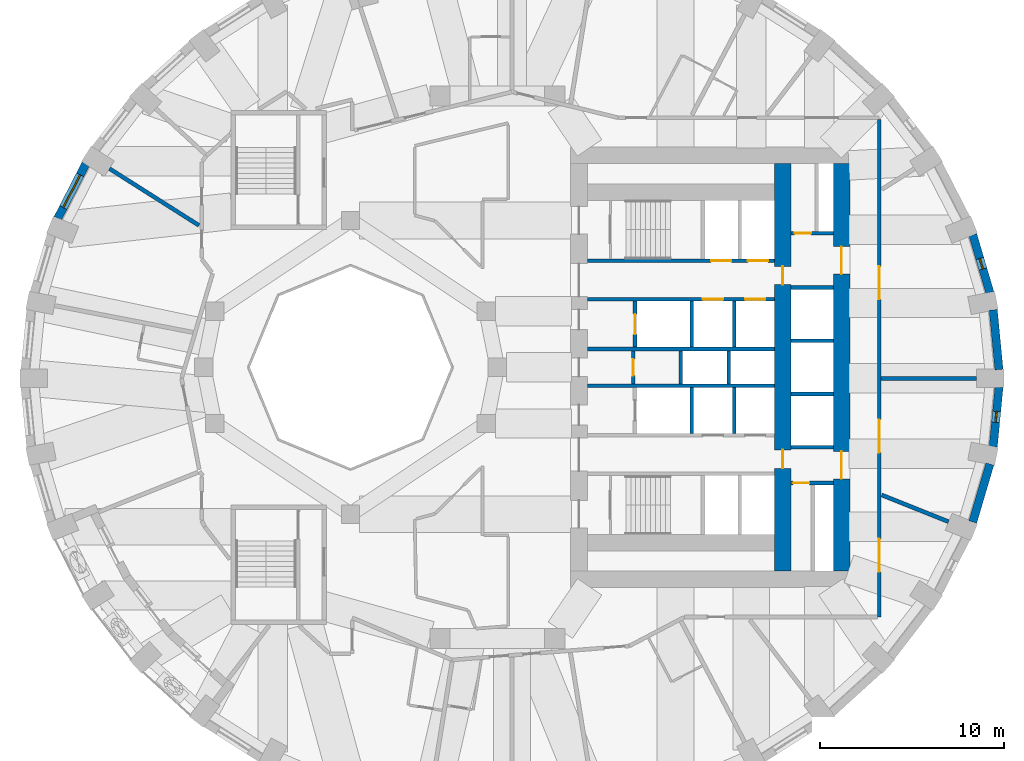
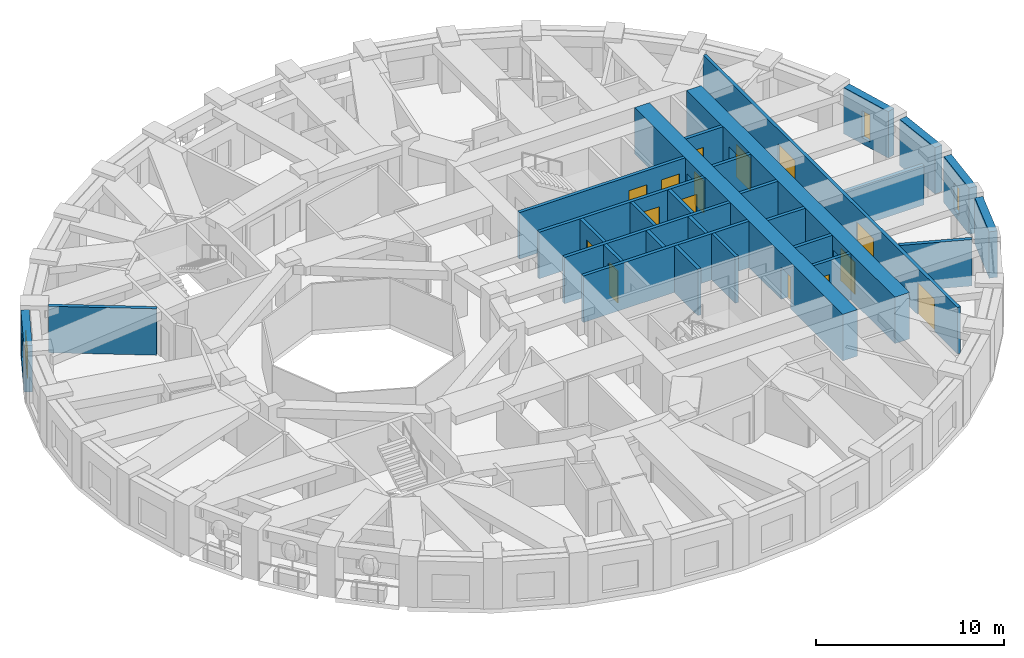
# One storey, part 6 of 12: 29 walls, 15 doors, 3 windows, 18 openings.
"""IFC4 building model written with IfcOpenShell, lengths in metres."""

from ifc_helpers import new_model, si_unit, direction, frame, frame_2d, origin, place, context, subcontext, project, spatial, rectangle, extrude, material, layer, layer_set, type_object, element, fill, save


model = new_model("IFC4")

# Units and contexts
model_context = context("Model", 3, precision=1e-05, world=origin(), true_north=direction((0.0, 1.0)))
body_context = subcontext(model_context, "Body", "Model", "MODEL_VIEW")
ifc_project = project(units=[si_unit("LENGTHUNIT", "METRE"), si_unit("AREAUNIT", "SQUARE_METRE"), si_unit("VOLUMEUNIT", "CUBIC_METRE"), si_unit("PLANEANGLEUNIT", "RADIAN"), si_unit("MASSUNIT", "GRAM", prefix="KILO")], contexts=[model_context])

# Site, building, storey
site_placement = place(None, origin())
site = spatial("IfcSite", under=ifc_project, at=site_placement, CompositionType="ELEMENT")
building_placement = place(site_placement, origin())
building = spatial("IfcBuilding", under=site, at=building_placement, Name="Taillehof Tower", CompositionType="ELEMENT")
storey_placement = place(building_placement, frame((0.0, 0.0, 92.199951171875)))
storey = spatial("IfcBuildingStorey", under=building, at=storey_placement, Name="L25", CompositionType="ELEMENT", Elevation=92.199951171875)

# Wall
ifc_material_1 = material(Name="Brick masonry", Category="masonry")
ifc_layer_1 = layer(ifc_material_1, 0.449951171875)
ifc_layer_set_1 = layer_set([ifc_layer_1], Name="Brick infill wall 450")
wall_type_1 = type_object("IfcWallType", Name="Brick infill wall 450", PredefinedType="SOLIDWALL", material=ifc_layer_set_1)
wall_1_placement = place(storey_placement, frame((27.32763671875, -0.119873046875, 0.0), z_axis=(0.0, 0.0, 1.0), x_axis=(-0.09589355735, 0.995391594127, 0.0)))
element("IfcWall", 1, at=wall_1_placement, inside=storey, type_object=wall_type_1, Name="Brick wall L25 bay 1", PredefinedType="SOLIDWALL", context=body_context, shape_type="SweptSolid", body=[
    extrude(rectangle(XDim=3.261474609375, YDim=0.449951171875, at=frame_2d((1.630859375, 0.0))), origin(), (0.0, 0.0, 1.0), 3.02001953125),
])

# Wall, opening, window
wall_2_placement = place(storey_placement, frame((26.83203125, 4.069091796875, 0.0), z_axis=(0.0, 0.0, 1.0), x_axis=(-0.283002902729, 0.959119052593, 0.0)))
wall_2 = element("IfcWall", 2, at=wall_2_placement, inside=storey, type_object=wall_type_1, Name="Brick wall L25 bay 2", PredefinedType="SOLIDWALL", context=body_context, shape_type="SweptSolid", body=[
    extrude(rectangle(XDim=3.285888671875, YDim=0.449951171875, at=frame_2d((1.64306640625, 0.0))), origin(), (0.0, 0.0, 1.0), 3.02001953125),
])
opening_1_placement = place(wall_2_placement, frame((1.343017578125, 0.0, 0.39990234375)))
opening_1 = element("IfcOpeningElement", 3, at=opening_1_placement, cuts=wall_2, Name="Opening W6", PredefinedType="OPENING", context=body_context, shape_type="SweptSolid", body=[
    extrude(rectangle(XDim=0.60009765625, YDim=1.75, at=frame_2d((0.300048828125, 0.875))), frame((0.0, 0.23486328125, 0.0), z_axis=(0.0, -1.0, 0.0), x_axis=(1.0, 0.0, 0.0)), (0.0, 0.0, 1.0), 0.469970703125),
])
ifc_material_2 = material(Name="Aluminium window frame with clear double glazing", Category="aluminium")
window_type_1 = type_object("IfcWindowType", Name="Slot window 600x1750", PartitioningType="SINGLE_PANEL", PredefinedType="WINDOW", material=ifc_material_2)
window_1_placement = place(opening_1_placement, origin())
window_1 = element("IfcWindow", 4, at=window_1_placement, inside=storey, type_object=window_type_1, Name="W6", OverallHeight=1.75, OverallWidth=0.60009765625, PartitioningType="SINGLE_PANEL", PredefinedType="WINDOW", context=body_context, shape_type="SweptSolid", body=[
    extrude(rectangle(XDim=0.60009765625, YDim=1.75, at=frame_2d((0.300048828125, 0.875))), frame((0.0, 0.034912109375, 0.0), z_axis=(0.0, -1.0, 0.0), x_axis=(1.0, 0.0, 0.0)), (0.0, 0.0, 1.0), 0.06005859375),
])
fill(opening_1, window_1)

wall_3_placement = place(storey_placement, frame((-22.4228515625, 11.076904296875, 0.0), z_axis=(0.0, 0.0, 1.0), x_axis=(-0.456828186229, -0.889554949549, 0.0)))
wall_3 = element("IfcWall", 5, at=wall_3_placement, inside=storey, type_object=wall_type_1, Name="Brick wall L25 bay 16", PredefinedType="SOLIDWALL", context=body_context, shape_type="SweptSolid", body=[
    extrude(rectangle(XDim=3.332763671875, YDim=0.449951171875, at=frame_2d((1.66650390625, 0.0))), origin(), (0.0, 0.0, 1.0), 3.02001953125),
])
opening_2_placement = place(wall_3_placement, frame((0.666259765625, 0.0, 0.39990234375)))
opening_2 = element("IfcOpeningElement", 6, at=opening_2_placement, cuts=wall_3, Name="Opening W2", PredefinedType="OPENING", context=body_context, shape_type="SweptSolid", body=[
    extrude(rectangle(XDim=2.0, YDim=1.75, at=frame_2d((1.0, 0.875))), frame((0.0, 0.23486328125, 0.0), z_axis=(0.0, -1.0, 0.0), x_axis=(1.0, 0.0, 0.0)), (0.0, 0.0, 1.0), 0.469970703125),
])
ifc_material_3 = material(Name="Aluminium window frame with clear double glazing", Category="aluminium")
window_type_2 = type_object("IfcWindowType", Name="Deep-set window 2000x1750", PartitioningType="SINGLE_PANEL", PredefinedType="WINDOW", material=ifc_material_3)
window_2_placement = place(opening_2_placement, origin())
window_2 = element("IfcWindow", 7, at=window_2_placement, inside=storey, type_object=window_type_2, Name="W2", OverallHeight=1.75, OverallWidth=2.0, PartitioningType="SINGLE_PANEL", PredefinedType="WINDOW", context=body_context, shape_type="SweptSolid", body=[
    extrude(rectangle(XDim=2.0, YDim=1.75, at=frame_2d((1.0, 0.875))), frame((0.0, 0.034912109375, 0.0), z_axis=(0.0, -1.0, 0.0), x_axis=(1.0, 0.0, 0.0)), (0.0, 0.0, 1.0), 0.06005859375),
])
fill(opening_2, window_2)

# Wall
wall_4_placement = place(storey_placement, frame((25.902099609375, -8.4208984375, 0.0), z_axis=(0.0, 0.0, 1.0), x_axis=(0.282982737009, 0.95912500257, 0.0)))
element("IfcWall", 8, at=wall_4_placement, inside=storey, type_object=wall_type_1, Name="Brick wall L25 bay 35", PredefinedType="SOLIDWALL", context=body_context, shape_type="SweptSolid", body=[
    extrude(rectangle(XDim=3.2861328125, YDim=0.449951171875, at=frame_2d((1.64306640625, 0.0))), origin(), (0.0, 0.0, 1.0), 3.02001953125),
])

# Wall, opening, window
wall_5_placement = place(storey_placement, frame((27.014892578125, -4.326416015625, 0.0), z_axis=(0.0, 0.0, 1.0), x_axis=(0.09589355735, 0.995391594127, 0.0)))
wall_5 = element("IfcWall", 9, at=wall_5_placement, inside=storey, type_object=wall_type_1, Name="Brick wall L25 bay 36", PredefinedType="SOLIDWALL", context=body_context, shape_type="SweptSolid", body=[
    extrude(rectangle(XDim=3.261474609375, YDim=0.449951171875, at=frame_2d((1.630859375, 0.0))), origin(), (0.0, 0.0, 1.0), 3.02001953125),
])
opening_3_placement = place(wall_5_placement, frame((1.33056640625, 0.0, 0.39990234375)))
opening_3 = element("IfcOpeningElement", 10, at=opening_3_placement, cuts=wall_5, Name="Opening W6", PredefinedType="OPENING", context=body_context, shape_type="SweptSolid", body=[
    extrude(rectangle(XDim=0.60009765625, YDim=1.75, at=frame_2d((0.300048828125, 0.875))), frame((0.0, 0.23486328125, 0.0), z_axis=(0.0, -1.0, 0.0), x_axis=(1.0, 0.0, 0.0)), (0.0, 0.0, 1.0), 0.469970703125),
])
window_3_placement = place(opening_3_placement, origin())
window_3 = element("IfcWindow", 11, at=window_3_placement, inside=storey, type_object=window_type_1, Name="W6", OverallHeight=1.75, OverallWidth=0.60009765625, PartitioningType="SINGLE_PANEL", PredefinedType="WINDOW", context=body_context, shape_type="SweptSolid", body=[
    extrude(rectangle(XDim=0.60009765625, YDim=1.75, at=frame_2d((0.300048828125, 0.875))), frame((0.0, 0.034912109375, 0.0), z_axis=(0.0, -1.0, 0.0), x_axis=(1.0, 0.0, 0.0)), (0.0, 0.0, 1.0), 0.06005859375),
])
fill(opening_3, window_3)

# Wall, opening, door
ifc_material_4 = material(Name="Calcium silicate masonry", Category="masonry")
ifc_layer_2 = layer(ifc_material_4, 0.199951171875)
ifc_layer_set_2 = layer_set([ifc_layer_2], Name="Compartment wall calcium silicate 200")
wall_type_2 = type_object("IfcWallType", Name="Compartment wall calcium silicate 200", PredefinedType="PARTITIONING", material=ifc_layer_set_2)
wall_6_placement = place(storey_placement, frame((7.39990234375, -0.89990234375, 0.0), z_axis=(0.0, 0.0, 1.0), x_axis=(0.0, 1.0, 0.0)))
wall_6 = element("IfcWall", 12, at=wall_6_placement, inside=storey, type_object=wall_type_2, Name="Compartment wall FW", PredefinedType="PARTITIONING", context=body_context, shape_type="SweptSolid", body=[
    extrude(rectangle(XDim=1.7998046875, YDim=0.199951171875, at=frame_2d((0.89990234375, 0.0))), origin(), (0.0, 0.0, 1.0), 3.02001953125),
])
opening_4_placement = place(wall_6_placement, frame((0.449951171875, 0.0, 0.0)))
opening_4 = element("IfcOpeningElement", 13, at=opening_4_placement, cuts=wall_6, Name="Opening D2514", PredefinedType="OPENING", context=body_context, shape_type="SweptSolid", body=[
    extrude(rectangle(XDim=0.89990234375, YDim=2.10009765625, at=frame_2d((0.449951171875, 1.050048828125))), frame((0.0, 0.10986328125, 0.0), z_axis=(0.0, -1.0, 0.0), x_axis=(1.0, 0.0, 0.0)), (0.0, 0.0, 1.0), 0.219970703125),
])
ifc_material_5 = material(Name="Steel-faced fire door", Category="steel")
door_type_1 = type_object("IfcDoorType", Name="Riser and service room door 900x2100", OperationType="SINGLE_SWING_LEFT", PredefinedType="DOOR", material=ifc_material_5)
door_1_placement = place(opening_4_placement, origin())
door_1 = element("IfcDoor", 14, at=door_1_placement, inside=storey, type_object=door_type_1, Name="Door Staff Pantry", OperationType="SINGLE_SWING_RIGHT", OverallHeight=2.10009765625, OverallWidth=0.89990234375, PredefinedType="DOOR", context=body_context, shape_type="SweptSolid", body=[
    extrude(rectangle(XDim=0.89990234375, YDim=2.10009765625, at=frame_2d((0.449951171875, 1.050048828125))), frame((0.0, 0.02490234375, 0.0), z_axis=(0.0, -1.0, 0.0), x_axis=(1.0, 0.0, 0.0)), (0.0, 0.0, 1.0), 0.050048828125),
])
fill(opening_4, door_1)

# Walls
for number, where, z_axis, x_axis, name in (
    (15, (10.0, -0.89990234375, 0.0), (0.0, 0.0, 1.0), (0.0, 1.0, 0.0), "Compartment wall FW"),
    (16, (12.60009765625, -0.89990234375, 0.0), (0.0, 0.0, 1.0), (0.0, 1.0, 0.0), "Compartment wall FW"),
):
    element("IfcWall", number, at=place(storey_placement, frame(where, z_axis=z_axis, x_axis=x_axis)), inside=storey, type_object=wall_type_2, Name=name, PredefinedType="PARTITIONING", context=body_context, shape_type="SweptSolid", body=[
        extrude(rectangle(XDim=1.7998046875, YDim=0.199951171875, at=frame_2d((0.89990234375, 0.0))), origin(), (0.0, 0.0, 1.0), 3.02001953125),
    ])

# Wall, opening, door
wall_7_placement = place(storey_placement, frame((16.0, 7.300048828125, 0.0), z_axis=(0.0, 0.0, 1.0), x_axis=(1.0, 0.0, 0.0)))
wall_7 = element("IfcWall", 17, at=wall_7_placement, inside=storey, type_object=wall_type_2, Name="Compartment wall FW", PredefinedType="PARTITIONING", context=body_context, shape_type="SweptSolid", body=[
    extrude(rectangle(XDim=2.300048828125, YDim=0.199951171875, at=frame_2d((1.14990234375, 0.0))), origin(), (0.0, 0.0, 1.0), 3.02001953125),
])
opening_5_placement = place(wall_7_placement, frame((0.199951171875, 0.0, 0.0)))
opening_5 = element("IfcOpeningElement", 18, at=opening_5_placement, cuts=wall_7, Name="Opening D2516", PredefinedType="OPENING", context=body_context, shape_type="SweptSolid", body=[
    extrude(rectangle(XDim=0.89990234375, YDim=2.10009765625, at=frame_2d((0.449951171875, 1.050048828125))), frame((0.0, 0.10986328125, 0.0), z_axis=(0.0, -1.0, 0.0), x_axis=(1.0, 0.0, 0.0)), (0.0, 0.0, 1.0), 0.219970703125),
])
door_2_placement = place(opening_5_placement, origin())
door_2 = element("IfcDoor", 19, at=door_2_placement, inside=storey, type_object=door_type_1, Name="Door Battery Room", OperationType="SINGLE_SWING_RIGHT", OverallHeight=2.10009765625, OverallWidth=0.89990234375, PredefinedType="DOOR", context=body_context, shape_type="SweptSolid", body=[
    extrude(rectangle(XDim=0.89990234375, YDim=2.10009765625, at=frame_2d((0.449951171875, 1.050048828125))), frame((0.0, 0.02490234375, 0.0), z_axis=(0.0, -1.0, 0.0), x_axis=(1.0, 0.0, 0.0)), (0.0, 0.0, 1.0), 0.050048828125),
])
fill(opening_5, door_2)

wall_8_placement = place(storey_placement, frame((16.0, -6.300048828125, 0.0), z_axis=(0.0, 0.0, 1.0), x_axis=(1.0, 0.0, 0.0)))
wall_8 = element("IfcWall", 20, at=wall_8_placement, inside=storey, type_object=wall_type_2, Name="Compartment wall FW", PredefinedType="PARTITIONING", context=body_context, shape_type="SweptSolid", body=[
    extrude(rectangle(XDim=2.300048828125, YDim=0.199951171875, at=frame_2d((1.14990234375, 0.0))), origin(), (0.0, 0.0, 1.0), 3.02001953125),
])
opening_6_placement = place(wall_8_placement, frame((0.10009765625, 0.0, 0.0)))
opening_6 = element("IfcOpeningElement", 21, at=opening_6_placement, cuts=wall_8, Name="Opening D2518", PredefinedType="OPENING", context=body_context, shape_type="SweptSolid", body=[
    extrude(rectangle(XDim=0.89990234375, YDim=2.10009765625, at=frame_2d((0.449951171875, 1.050048828125))), frame((0.0, 0.10986328125, 0.0), z_axis=(0.0, -1.0, 0.0), x_axis=(1.0, 0.0, 0.0)), (0.0, 0.0, 1.0), 0.219970703125),
])
door_3_placement = place(opening_6_placement, origin())
door_3 = element("IfcDoor", 22, at=door_3_placement, inside=storey, type_object=door_type_1, Name="Door Linen Store", OperationType="SINGLE_SWING_LEFT", OverallHeight=2.10009765625, OverallWidth=0.89990234375, PredefinedType="DOOR", context=body_context, shape_type="SweptSolid", body=[
    extrude(rectangle(XDim=0.89990234375, YDim=2.10009765625, at=frame_2d((0.449951171875, 1.050048828125))), frame((0.0, 0.02490234375, 0.0), z_axis=(0.0, -1.0, 0.0), x_axis=(1.0, 0.0, 0.0)), (0.0, 0.0, 1.0), 0.050048828125),
])
fill(opening_6, door_3)

# Wall, openings, doors
ifc_material_6 = material(Name="Gypsum board on steel studs, two layers each side", Category="steel")
ifc_layer_3 = layer(ifc_material_6, 0.199951171875)
ifc_layer_set_3 = layer_set([ifc_layer_3], Name="Compartment wall corridor 200")
wall_type_3 = type_object("IfcWallType", Name="Compartment wall corridor 200", PredefinedType="PARTITIONING", material=ifc_layer_set_3)
wall_9_placement = place(storey_placement, frame((20.800048828125, 13.5, 0.0), z_axis=(0.0, 0.0, 1.0), x_axis=(0.0, -1.0, 0.0)))
wall_9 = element("IfcWall", 23, at=wall_9_placement, inside=storey, type_object=wall_type_3, Name="Compartment wall", PredefinedType="PARTITIONING", context=body_context, shape_type="SweptSolid", body=[
    extrude(rectangle(XDim=27.10009765625, YDim=0.199951171875, at=frame_2d((13.550048828125, 0.0))), origin(), (0.0, 0.0, 1.0), 3.02001953125),
])
opening_7_placement = place(wall_9_placement, frame((22.84375, 0.0, 0.0)))
opening_7 = element("IfcOpeningElement", 24, at=opening_7_placement, cuts=wall_9, Name="Opening D2561", PredefinedType="OPENING", context=body_context, shape_type="SweptSolid", body=[
    extrude(rectangle(XDim=1.800048828125, YDim=2.10009765625, at=frame_2d((0.89990234375, 1.050048828125))), frame((0.0, 0.10986328125, 0.0), z_axis=(0.0, -1.0, 0.0), x_axis=(1.0, 0.0, 0.0)), (0.0, 0.0, 1.0), 0.219970703125),
])
opening_8_placement = place(wall_9_placement, frame((16.349609375, 0.0, 0.0)))
opening_8 = element("IfcOpeningElement", 25, at=opening_8_placement, cuts=wall_9, Name="Opening D2562", PredefinedType="OPENING", context=body_context, shape_type="SweptSolid", body=[
    extrude(rectangle(XDim=1.800048828125, YDim=2.10009765625, at=frame_2d((0.89990234375, 1.050048828125))), frame((0.0, 0.10986328125, 0.0), z_axis=(0.0, -1.0, 0.0), x_axis=(1.0, 0.0, 0.0)), (0.0, 0.0, 1.0), 0.219970703125),
])
opening_9_placement = place(wall_9_placement, frame((7.99609375, 0.0, 0.0)))
opening_9 = element("IfcOpeningElement", 26, at=opening_9_placement, cuts=wall_9, Name="Opening D2563", PredefinedType="OPENING", context=body_context, shape_type="SweptSolid", body=[
    extrude(rectangle(XDim=1.800048828125, YDim=2.10009765625, at=frame_2d((0.89990234375, 1.050048828125))), frame((0.0, 0.10986328125, 0.0), z_axis=(0.0, -1.0, 0.0), x_axis=(1.0, 0.0, 0.0)), (0.0, 0.0, 1.0), 0.219970703125),
])
ifc_material_7 = material(Name="Timber door leaf in steel frame", Category="steel")
door_type_2 = type_object("IfcDoorType", Name="Lounge and meeting room double door EI 30 1800 x 2100", OperationType="SINGLE_SWING_LEFT", PredefinedType="DOOR", material=ifc_material_7)
door_4_placement = place(opening_7_placement, origin())
door_4 = element("IfcDoor", 27, at=door_4_placement, inside=storey, type_object=door_type_2, Name="D2561", OperationType="DOUBLE_DOOR_SINGLE_SWING", OverallHeight=2.10009765625, OverallWidth=1.800048828125, PredefinedType="DOOR", context=body_context, shape_type="SweptSolid", body=[
    extrude(rectangle(XDim=1.800048828125, YDim=2.10009765625, at=frame_2d((0.89990234375, 1.050048828125))), frame((0.0, 0.02490234375, 0.0), z_axis=(0.0, -1.0, 0.0), x_axis=(1.0, 0.0, 0.0)), (0.0, 0.0, 1.0), 0.050048828125),
])
fill(opening_7, door_4)
door_5_placement = place(opening_8_placement, origin())
door_5 = element("IfcDoor", 28, at=door_5_placement, inside=storey, type_object=door_type_2, Name="D2562", OperationType="DOUBLE_DOOR_SINGLE_SWING", OverallHeight=2.10009765625, OverallWidth=1.800048828125, PredefinedType="DOOR", context=body_context, shape_type="SweptSolid", body=[
    extrude(rectangle(XDim=1.800048828125, YDim=2.10009765625, at=frame_2d((0.89990234375, 1.050048828125))), frame((0.0, 0.02490234375, 0.0), z_axis=(0.0, -1.0, 0.0), x_axis=(1.0, 0.0, 0.0)), (0.0, 0.0, 1.0), 0.050048828125),
])
fill(opening_8, door_5)
door_6_placement = place(opening_9_placement, origin())
door_6 = element("IfcDoor", 29, at=door_6_placement, inside=storey, type_object=door_type_2, Name="D2563", OperationType="DOUBLE_DOOR_SINGLE_SWING", OverallHeight=2.10009765625, OverallWidth=1.800048828125, PredefinedType="DOOR", context=body_context, shape_type="SweptSolid", body=[
    extrude(rectangle(XDim=1.800048828125, YDim=2.10009765625, at=frame_2d((0.89990234375, 1.050048828125))), frame((0.0, 0.02490234375, 0.0), z_axis=(0.0, -1.0, 0.0), x_axis=(1.0, 0.0, 0.0)), (0.0, 0.0, 1.0), 0.050048828125),
])
fill(opening_9, door_6)

# Walls
ifc_material_8 = material(Name="Gypsum board on double steel studs with mineral wool", Category="steel")
ifc_layer_4 = layer(ifc_material_8, 0.219970703125)
ifc_layer_set_4 = layer_set([ifc_layer_4], Name="Compartment wall guest room 220")
wall_type_4 = type_object("IfcWallType", Name="Compartment wall guest room 220", PredefinedType="PARTITIONING", material=ifc_layer_set_4)
wall_10_placement = place(storey_placement, frame((26.10009765625, -0.60009765625, 0.0), z_axis=(0.0, 0.0, 1.0), x_axis=(-1.0, 0.0, 0.0)))
element("IfcWall", 30, at=wall_10_placement, inside=storey, type_object=wall_type_4, Name="Compartment wall", PredefinedType="PARTITIONING", context=body_context, shape_type="SweptSolid", body=[
    extrude(rectangle(XDim=5.199951171875, YDim=0.219970703125, at=frame_2d((2.60009765625, 0.0))), origin(), (0.0, 0.0, 1.0), 2.570068359375),
])
wall_11_placement = place(storey_placement, frame((-21.12646484375, 10.8232421875, 0.0), z_axis=(0.0, 0.0, 1.0), x_axis=(0.844518840625, -0.535525842355, 0.0)))
element("IfcWall", 31, at=wall_11_placement, inside=storey, type_object=wall_type_4, Name="Compartment wall", PredefinedType="PARTITIONING", context=body_context, shape_type="SweptSolid", body=[
    extrude(rectangle(XDim=5.7734375, YDim=0.219970703125, at=frame_2d((2.88671875, 0.0))), origin(), (0.0, 0.0, 1.0), 3.02001953125),
])
wall_12_placement = place(storey_placement, frame((24.58251953125, -8.410400390625, 0.0), z_axis=(0.0, 0.0, 1.0), x_axis=(-0.928528147853, 0.371262008083, 0.0)))
element("IfcWall", 32, at=wall_12_placement, inside=storey, type_object=wall_type_4, Name="Compartment wall", PredefinedType="PARTITIONING", context=body_context, shape_type="SweptSolid", body=[
    extrude(rectangle(XDim=3.92578125, YDim=0.219970703125, at=frame_2d((1.962890625, 0.0))), origin(), (0.0, 0.0, 1.0), 3.02001953125),
])

# Wall, openings, doors
ifc_material_9 = material(Name="Concrete C80/95", Category="concrete")
ifc_layer_5 = layer(ifc_material_9, 0.89990234375)
ifc_layer_set_5 = layer_set([ifc_layer_5], Name="Core wall C80/95 900")
wall_type_5 = type_object("IfcWallType", Name="Core wall C80/95 900", PredefinedType="SHEAR", material=ifc_layer_set_5)
wall_13_placement = place(storey_placement, frame((18.75, -11.10009765625, 0.0), z_axis=(0.0, 0.0, 1.0), x_axis=(0.0, 1.0, 0.0)))
wall_13 = element("IfcWall", 33, at=wall_13_placement, inside=storey, type_object=wall_type_5, Name="Core wall CW02", PredefinedType="SHEAR", context=body_context, shape_type="SweptSolid", body=[
    extrude(rectangle(XDim=22.2001953125, YDim=0.89990234375, at=frame_2d((11.10009765625, 0.0))), origin(), (0.0, 0.0, 1.0), 3.02001953125),
])
opening_10_placement = place(wall_13_placement, frame((16.175048828125, 0.0, 0.0)))
opening_10 = element("IfcOpeningElement", 34, at=opening_10_placement, cuts=wall_13, Name="Opening D2508", PredefinedType="OPENING", context=body_context, shape_type="SweptSolid", body=[
    extrude(rectangle(XDim=1.5, YDim=2.10009765625, at=frame_2d((0.75, 1.050048828125))), frame((0.0, 0.4599609375, 0.0), z_axis=(0.0, -1.0, 0.0), x_axis=(1.0, 0.0, 0.0)), (0.0, 0.0, 1.0), 0.919921875),
])
opening_11_placement = place(wall_13_placement, frame((5.02490234375, 0.0, 0.0)))
opening_11 = element("IfcOpeningElement", 35, at=opening_11_placement, cuts=wall_13, Name="Opening D2509", PredefinedType="OPENING", context=body_context, shape_type="SweptSolid", body=[
    extrude(rectangle(XDim=1.5, YDim=2.10009765625, at=frame_2d((0.75, 1.050048828125))), frame((0.0, 0.4599609375, 0.0), z_axis=(0.0, -1.0, 0.0), x_axis=(1.0, 0.0, 0.0)), (0.0, 0.0, 1.0), 0.919921875),
])
ifc_material_10 = material(Name="Steel-faced fire door", Category="steel")
door_type_3 = type_object("IfcDoorType", Name="Lift lobby east door 1500x2100", OperationType="DOUBLE_DOOR_SINGLE_SWING", PredefinedType="DOOR", material=ifc_material_10)
door_7_placement = place(opening_10_placement, origin())
door_7 = element("IfcDoor", 36, at=door_7_placement, inside=storey, type_object=door_type_3, Name="Lift lobby east door north", OperationType="DOUBLE_DOOR_SINGLE_SWING", OverallHeight=2.10009765625, OverallWidth=1.5, PredefinedType="DOOR", context=body_context, shape_type="SweptSolid", body=[
    extrude(rectangle(XDim=1.5, YDim=2.10009765625, at=frame_2d((0.75, 1.050048828125))), frame((0.0, 0.02490234375, 0.0), z_axis=(0.0, -1.0, 0.0), x_axis=(1.0, 0.0, 0.0)), (0.0, 0.0, 1.0), 0.050048828125),
])
fill(opening_10, door_7)
door_8_placement = place(opening_11_placement, origin())
door_8 = element("IfcDoor", 37, at=door_8_placement, inside=storey, type_object=door_type_3, Name="Lift lobby east door south", OperationType="DOUBLE_DOOR_SINGLE_SWING", OverallHeight=2.10009765625, OverallWidth=1.5, PredefinedType="DOOR", context=body_context, shape_type="SweptSolid", body=[
    extrude(rectangle(XDim=1.5, YDim=2.10009765625, at=frame_2d((0.75, 1.050048828125))), frame((0.0, 0.02490234375, 0.0), z_axis=(0.0, -1.0, 0.0), x_axis=(1.0, 0.0, 0.0)), (0.0, 0.0, 1.0), 0.050048828125),
])
fill(opening_11, door_8)

wall_14_placement = place(storey_placement, frame((15.550048828125, -11.10009765625, 0.0), z_axis=(0.0, 0.0, 1.0), x_axis=(0.0, 1.0, 0.0)))
wall_14 = element("IfcWall", 38, at=wall_14_placement, inside=storey, type_object=wall_type_5, Name="Core wall CW05", PredefinedType="SHEAR", context=body_context, shape_type="SweptSolid", body=[
    extrude(rectangle(XDim=22.2001953125, YDim=0.89990234375, at=frame_2d((11.10009765625, 0.0))), origin(), (0.0, 0.0, 1.0), 3.02001953125),
])
opening_12_placement = place(wall_14_placement, frame((15.60009765625, 0.0, 0.0)))
opening_12 = element("IfcOpeningElement", 39, at=opening_12_placement, cuts=wall_14, Name="Opening D2515", PredefinedType="OPENING", context=body_context, shape_type="SweptSolid", body=[
    extrude(rectangle(XDim=1.0, YDim=2.10009765625, at=frame_2d((0.5, 1.050048828125))), frame((0.0, 0.4599609375, 0.0), z_axis=(0.0, -1.0, 0.0), x_axis=(1.0, 0.0, 0.0)), (0.0, 0.0, 1.0), 0.919921875),
])
opening_13_placement = place(wall_14_placement, frame((5.60009765625, 0.0, 0.0)))
opening_13 = element("IfcOpeningElement", 40, at=opening_13_placement, cuts=wall_14, Name="Opening D2517", PredefinedType="OPENING", context=body_context, shape_type="SweptSolid", body=[
    extrude(rectangle(XDim=1.0, YDim=2.10009765625, at=frame_2d((0.5, 1.050048828125))), frame((0.0, 0.4599609375, 0.0), z_axis=(0.0, -1.0, 0.0), x_axis=(1.0, 0.0, 0.0)), (0.0, 0.0, 1.0), 0.919921875),
])
ifc_material_11 = material(Name="Steel-faced fire door", Category="steel")
door_type_4 = type_object("IfcDoorType", Name="Service door 1000x2100", OperationType="SINGLE_SWING_RIGHT", PredefinedType="DOOR", material=ifc_material_11)
door_9_placement = place(opening_12_placement, origin())
door_9 = element("IfcDoor", 41, at=door_9_placement, inside=storey, type_object=door_type_4, Name="Service door strip", OperationType="SINGLE_SWING_RIGHT", OverallHeight=2.10009765625, OverallWidth=1.0, PredefinedType="DOOR", context=body_context, shape_type="SweptSolid", body=[
    extrude(rectangle(XDim=1.0, YDim=2.10009765625, at=frame_2d((0.5, 1.050048828125))), frame((0.0, 0.02490234375, 0.0), z_axis=(0.0, -1.0, 0.0), x_axis=(1.0, 0.0, 0.0)), (0.0, 0.0, 1.0), 0.050048828125),
])
fill(opening_12, door_9)
door_10_placement = place(opening_13_placement, origin())
door_10 = element("IfcDoor", 42, at=door_10_placement, inside=storey, type_object=door_type_4, Name="Service door strip", OperationType="SINGLE_SWING_LEFT", OverallHeight=2.10009765625, OverallWidth=1.0, PredefinedType="DOOR", context=body_context, shape_type="SweptSolid", body=[
    extrude(rectangle(XDim=1.0, YDim=2.10009765625, at=frame_2d((0.5, 1.050048828125))), frame((0.0, 0.02490234375, 0.0), z_axis=(0.0, -1.0, 0.0), x_axis=(1.0, 0.0, 0.0)), (0.0, 0.0, 1.0), 0.050048828125),
])
fill(opening_13, door_10)

ifc_material_12 = material(Name="Concrete C50/60", Category="concrete")
ifc_layer_6 = layer(ifc_material_12, 0.199951171875)
ifc_layer_set_6 = layer_set([ifc_layer_6], Name="Shaft wall C50/60 200")
wall_type_6 = type_object("IfcWallType", Name="Shaft wall C50/60 200", PredefinedType="SHEAR", material=ifc_layer_set_6)
wall_15_placement = place(storey_placement, frame((4.89990234375, 5.800048828125, 0.0), z_axis=(0.0, 0.0, 1.0), x_axis=(1.0, 0.0, 0.0)))
wall_15 = element("IfcWall", 43, at=wall_15_placement, inside=storey, type_object=wall_type_6, Name="Shaft wall SW", PredefinedType="SHEAR", context=body_context, shape_type="SweptSolid", body=[
    extrude(rectangle(XDim=10.2001953125, YDim=0.199951171875, at=frame_2d((5.10009765625, 0.0))), origin(), (0.0, 0.0, 1.0), 3.02001953125),
])
opening_14_placement = place(wall_15_placement, frame((6.75, 0.0, 0.0)))
opening_14 = element("IfcOpeningElement", 44, at=opening_14_placement, cuts=wall_15, Name="Opening LD1", PredefinedType="OPENING", context=body_context, shape_type="SweptSolid", body=[
    extrude(rectangle(XDim=1.10009765625, YDim=2.10009765625, at=frame_2d((0.550048828125, 1.050048828125))), frame((0.0, 0.10986328125, 0.0), z_axis=(0.0, -1.0, 0.0), x_axis=(1.0, 0.0, 0.0)), (0.0, 0.0, 1.0), 0.219970703125),
])
opening_15_placement = place(wall_15_placement, frame((8.75, 0.0, 0.0)))
opening_15 = element("IfcOpeningElement", 45, at=opening_15_placement, cuts=wall_15, Name="Opening LD1", PredefinedType="OPENING", context=body_context, shape_type="SweptSolid", body=[
    extrude(rectangle(XDim=1.10009765625, YDim=2.10009765625, at=frame_2d((0.550048828125, 1.050048828125))), frame((0.0, 0.10986328125, 0.0), z_axis=(0.0, -1.0, 0.0), x_axis=(1.0, 0.0, 0.0)), (0.0, 0.0, 1.0), 0.219970703125),
])
ifc_material_13 = material(Name="Stainless steel", Category="steel")
door_type_5 = type_object("IfcDoorType", Name="Lift landing door LD1 1100x2100", OperationType="DOUBLE_DOOR_SLIDING", PredefinedType="DOOR", material=ifc_material_13)
door_11_placement = place(opening_14_placement, origin())
door_11 = element("IfcDoor", 46, at=door_11_placement, inside=storey, type_object=door_type_5, Name="Landing door LR1", OperationType="DOUBLE_DOOR_SLIDING", OverallHeight=2.10009765625, OverallWidth=1.10009765625, PredefinedType="DOOR", context=body_context, shape_type="SweptSolid", body=[
    extrude(rectangle(XDim=1.10009765625, YDim=2.10009765625, at=frame_2d((0.550048828125, 1.050048828125))), frame((0.0, 0.02490234375, 0.0), z_axis=(0.0, -1.0, 0.0), x_axis=(1.0, 0.0, 0.0)), (0.0, 0.0, 1.0), 0.050048828125),
])
fill(opening_14, door_11)
door_12_placement = place(opening_15_placement, origin())
door_12 = element("IfcDoor", 47, at=door_12_placement, inside=storey, type_object=door_type_5, Name="Landing door LR2", OperationType="DOUBLE_DOOR_SLIDING", OverallHeight=2.10009765625, OverallWidth=1.10009765625, PredefinedType="DOOR", context=body_context, shape_type="SweptSolid", body=[
    extrude(rectangle(XDim=1.10009765625, YDim=2.10009765625, at=frame_2d((0.550048828125, 1.050048828125))), frame((0.0, 0.02490234375, 0.0), z_axis=(0.0, -1.0, 0.0), x_axis=(1.0, 0.0, 0.0)), (0.0, 0.0, 1.0), 0.050048828125),
])
fill(opening_15, door_12)

wall_16_placement = place(storey_placement, frame((4.89990234375, 3.699951171875, 0.0), z_axis=(0.0, 0.0, 1.0), x_axis=(1.0, 0.0, 0.0)))
wall_16 = element("IfcWall", 48, at=wall_16_placement, inside=storey, type_object=wall_type_6, Name="Shaft wall SW", PredefinedType="SHEAR", context=body_context, shape_type="SweptSolid", body=[
    extrude(rectangle(XDim=10.2001953125, YDim=0.199951171875, at=frame_2d((5.10009765625, 0.0))), origin(), (0.0, 0.0, 1.0), 3.02001953125),
])
opening_16_placement = place(wall_16_placement, frame((6.300048828125, 0.0, 0.0)))
opening_16 = element("IfcOpeningElement", 49, at=opening_16_placement, cuts=wall_16, Name="Opening LD1", PredefinedType="OPENING", context=body_context, shape_type="SweptSolid", body=[
    extrude(rectangle(XDim=1.10009765625, YDim=2.10009765625, at=frame_2d((0.550048828125, 1.050048828125))), frame((0.0, 0.10986328125, 0.0), z_axis=(0.0, -1.0, 0.0), x_axis=(1.0, 0.0, 0.0)), (0.0, 0.0, 1.0), 0.219970703125),
])
opening_17_placement = place(wall_16_placement, frame((8.60009765625, 0.0, 0.0)))
opening_17 = element("IfcOpeningElement", 50, at=opening_17_placement, cuts=wall_16, Name="Opening LD1", PredefinedType="OPENING", context=body_context, shape_type="SweptSolid", body=[
    extrude(rectangle(XDim=1.10009765625, YDim=2.10009765625, at=frame_2d((0.550048828125, 1.050048828125))), frame((0.0, 0.10986328125, 0.0), z_axis=(0.0, -1.0, 0.0), x_axis=(1.0, 0.0, 0.0)), (0.0, 0.0, 1.0), 0.219970703125),
])
door_13_placement = place(opening_16_placement, origin())
door_13 = element("IfcDoor", 51, at=door_13_placement, inside=storey, type_object=door_type_5, Name="Landing door LR3", OperationType="DOUBLE_DOOR_SLIDING", OverallHeight=2.10009765625, OverallWidth=1.10009765625, PredefinedType="DOOR", context=body_context, shape_type="SweptSolid", body=[
    extrude(rectangle(XDim=1.10009765625, YDim=2.10009765625, at=frame_2d((0.550048828125, 1.050048828125))), frame((0.0, 0.02490234375, 0.0), z_axis=(0.0, -1.0, 0.0), x_axis=(1.0, 0.0, 0.0)), (0.0, 0.0, 1.0), 0.050048828125),
])
fill(opening_16, door_13)
door_14_placement = place(opening_17_placement, origin())
door_14 = element("IfcDoor", 52, at=door_14_placement, inside=storey, type_object=door_type_5, Name="Landing door LR4", OperationType="DOUBLE_DOOR_SLIDING", OverallHeight=2.10009765625, OverallWidth=1.10009765625, PredefinedType="DOOR", context=body_context, shape_type="SweptSolid", body=[
    extrude(rectangle(XDim=1.10009765625, YDim=2.10009765625, at=frame_2d((0.550048828125, 1.050048828125))), frame((0.0, 0.02490234375, 0.0), z_axis=(0.0, -1.0, 0.0), x_axis=(1.0, 0.0, 0.0)), (0.0, 0.0, 1.0), 0.050048828125),
])
fill(opening_17, door_14)

# Walls
for number, where, z_axis, x_axis, name in (
    (53, (4.89990234375, 1.0, 0.0), (0.0, 0.0, 1.0), (1.0, 0.0, 0.0), "Shaft wall SW"),
    (54, (4.89990234375, -1.0, 0.0), (0.0, 0.0, 1.0), (1.0, 0.0, 0.0), "Shaft wall SW"),
):
    element("IfcWall", number, at=place(storey_placement, frame(where, z_axis=z_axis, x_axis=x_axis)), inside=storey, type_object=wall_type_6, Name=name, PredefinedType="SHEAR", context=body_context, shape_type="SweptSolid", body=[
        extrude(rectangle(XDim=10.2001953125, YDim=0.199951171875, at=frame_2d((5.10009765625, 0.0))), origin(), (0.0, 0.0, 1.0), 3.02001953125),
    ])

# Wall, opening, door
wall_17_placement = place(storey_placement, frame((7.5, 1.10009765625, 0.0), z_axis=(0.0, 0.0, 1.0), x_axis=(0.0, 1.0, 0.0)))
wall_17 = element("IfcWall", 55, at=wall_17_placement, inside=storey, type_object=wall_type_6, Name="Shaft wall SW", PredefinedType="SHEAR", context=body_context, shape_type="SweptSolid", body=[
    extrude(rectangle(XDim=2.5, YDim=0.199951171875, at=frame_2d((1.25, 0.0))), origin(), (0.0, 0.0, 1.0), 3.02001953125),
])
opening_18_placement = place(wall_17_placement, frame((0.699951171875, 0.0, 0.0)))
opening_18 = element("IfcOpeningElement", 56, at=opening_18_placement, cuts=wall_17, Name="Opening LD1", PredefinedType="OPENING", context=body_context, shape_type="SweptSolid", body=[
    extrude(rectangle(XDim=1.10009765625, YDim=2.10009765625, at=frame_2d((0.550048828125, 1.050048828125))), frame((0.0, 0.10986328125, 0.0), z_axis=(0.0, -1.0, 0.0), x_axis=(1.0, 0.0, 0.0)), (0.0, 0.0, 1.0), 0.219970703125),
])
door_15_placement = place(opening_18_placement, origin())
door_15 = element("IfcDoor", 57, at=door_15_placement, inside=storey, type_object=door_type_5, Name="Landing door FF1", OperationType="DOUBLE_DOOR_SLIDING", OverallHeight=2.10009765625, OverallWidth=1.10009765625, PredefinedType="DOOR", context=body_context, shape_type="SweptSolid", body=[
    extrude(rectangle(XDim=1.10009765625, YDim=2.10009765625, at=frame_2d((0.550048828125, 1.050048828125))), frame((0.0, 0.02490234375, 0.0), z_axis=(0.0, -1.0, 0.0), x_axis=(1.0, 0.0, 0.0)), (0.0, 0.0, 1.0), 0.050048828125),
])
fill(opening_18, door_15)

# Walls
for number, where, z_axis, x_axis, name in (
    (58, (10.60009765625, 1.10009765625, 0.0), (0.0, 0.0, 1.0), (0.0, 1.0, 0.0), "Shaft wall SW"),
    (59, (10.60009765625, -3.60009765625, 0.0), (0.0, 0.0, 1.0), (0.0, 1.0, 0.0), "Shaft wall SW"),
    (60, (12.89990234375, 1.10009765625, 0.0), (0.0, 0.0, 1.0), (0.0, 1.0, 0.0), "Shaft wall SW"),
    (61, (12.89990234375, -3.60009765625, 0.0), (0.0, 0.0, 1.0), (0.0, 1.0, 0.0), "Shaft wall SW"),
):
    element("IfcWall", number, at=place(storey_placement, frame(where, z_axis=z_axis, x_axis=x_axis)), inside=storey, type_object=wall_type_6, Name=name, PredefinedType="SHEAR", context=body_context, shape_type="SweptSolid", body=[
        extrude(rectangle(XDim=2.5, YDim=0.199951171875, at=frame_2d((1.25, 0.0))), origin(), (0.0, 0.0, 1.0), 3.02001953125),
    ])
for number, where, z_axis, x_axis, name in (
    (62, (16.0, -4.35009765625, 0.0), (0.0, 0.0, 1.0), (1.0, 0.0, 0.0), "Shaft wall SW"),
    (63, (16.0, -1.449951171875, 0.0), (0.0, 0.0, 1.0), (1.0, 0.0, 0.0), "Shaft wall SW"),
    (64, (16.0, 1.449951171875, 0.0), (0.0, 0.0, 1.0), (1.0, 0.0, 0.0), "Shaft wall SW"),
    (65, (16.0, 4.35009765625, 0.0), (0.0, 0.0, 1.0), (1.0, 0.0, 0.0), "Shaft wall SW"),
):
    element("IfcWall", number, at=place(storey_placement, frame(where, z_axis=z_axis, x_axis=x_axis)), inside=storey, type_object=wall_type_6, Name=name, PredefinedType="SHEAR", context=body_context, shape_type="SweptSolid", body=[
        extrude(rectangle(XDim=2.300048828125, YDim=0.199951171875, at=frame_2d((1.14990234375, 0.0))), origin(), (0.0, 0.0, 1.0), 3.02001953125),
    ])

save(model, "model.ifc")
